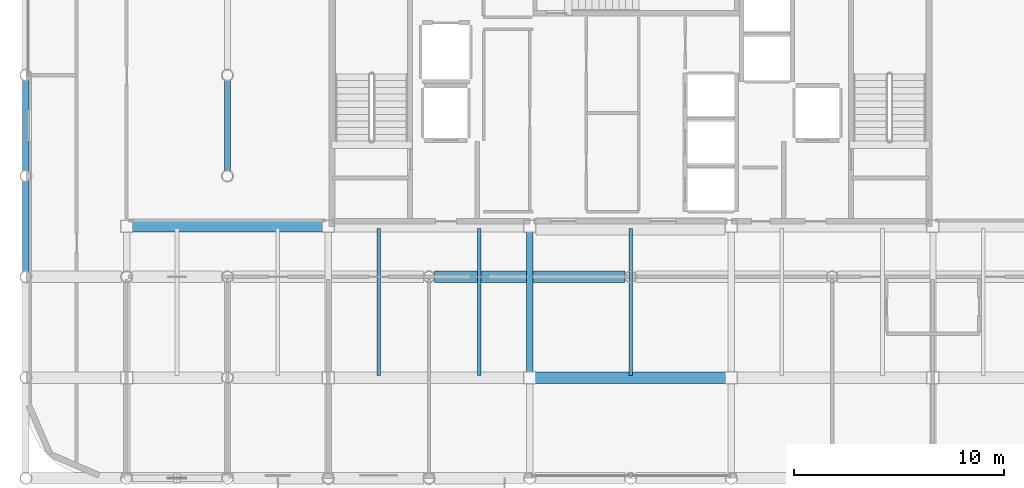
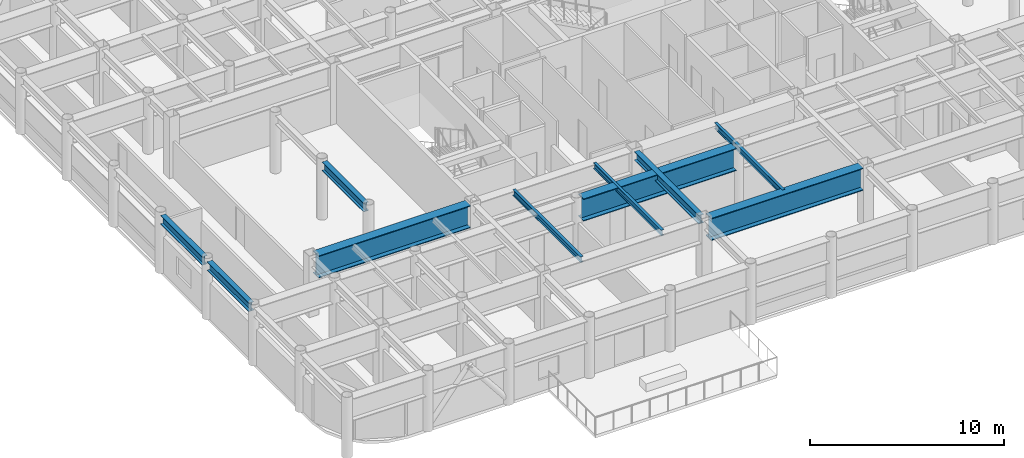
# One storey, part 5 of 26: 10 beams.
"""IFC4 building model written with IfcOpenShell, lengths in metres."""

from ifc_helpers import new_model, si_unit, direction, frame, origin, origin_2d, place, context, subcontext, project, spatial, i_section, extrude, material, material_profile, profile_set, type_object, element, save


model = new_model("IFC4")

# Units and contexts
model_context = context("Model", 3, precision=1e-05, world=origin(), true_north=direction((0.0, 1.0)))
body_context = subcontext(model_context, "Body", "Model", "MODEL_VIEW")
ifc_project = project(units=[si_unit("LENGTHUNIT", "METRE"), si_unit("AREAUNIT", "SQUARE_METRE"), si_unit("VOLUMEUNIT", "CUBIC_METRE"), si_unit("PLANEANGLEUNIT", "RADIAN"), si_unit("MASSUNIT", "GRAM", prefix="KILO")], contexts=[model_context])

# Site, building, storey
site_placement = place(None, origin())
site = spatial("IfcSite", under=ifc_project, at=site_placement, CompositionType="ELEMENT")
building_placement = place(site_placement, origin())
building = spatial("IfcBuilding", under=site, at=building_placement, Name="Kallvorn Hotel Tower", CompositionType="ELEMENT")
storey_placement = place(building_placement, frame((0.0, 0.0, 222.300048828125)))
storey = spatial("IfcBuildingStorey", under=building, at=storey_placement, Name="L55", CompositionType="ELEMENT", Elevation=222.300048828125)

# Beams
ifc_material_1 = material(Name="Structural steel S355JR", Category="steel")
ifc_material_profile_1 = material_profile(ifc_material_1, i_section(OverallWidth=0.300048828125, OverallDepth=0.550048828125, WebThickness=0.014892578125, FlangeThickness=0.029052734375, at=origin_2d()), Name="HE 550 B")
ifc_profile_set_1 = profile_set([ifc_material_profile_1], Name="Structural steel S355JR")
beam_type_1 = type_object("IfcBeamType", Name="BM_HE550B", PredefinedType="SPANDREL", material=ifc_profile_set_1)
for number, where, z_axis, x_axis, name in (
    (1, (-28.800048828125, -9.345458984375, 3.39501953125), (0.0, 1.0, 0.0), (-1.0, 0.0, 0.0), "L56 Primary Y-Girder 75"),
    (2, (-28.800048828125, -4.54541015625, 3.39501953125), (0.0, 1.0, 0.0), (-1.0, 0.0, 0.0), "L56 Primary Y-Girder 76"),
    (3, (-19.199951171875, -4.54541015625, 3.39501953125), (0.0, 1.0, 0.0), (-1.0, 0.0, 0.0), "L56 Primary Y-Girder 91"),
):
    element("IfcBeam", number, at=place(storey_placement, frame(where, z_axis=z_axis, x_axis=x_axis)), inside=storey, type_object=beam_type_1, Name=name, PredefinedType="SPANDREL", context=body_context, shape_type="SweptSolid", body=[
        extrude(i_section(OverallWidth=0.300048828125, OverallDepth=0.550048828125, WebThickness=0.014892578125, FlangeThickness=0.029052734375, at=origin_2d()), origin(), (0.0, 0.0, 1.0), 4.291015625),
    ])
beam_1_placement = place(storey_placement, frame((-4.800048828125, -14.125, 3.39501953125), z_axis=(0.0, 1.0, 0.0), x_axis=(-1.0, 0.0, 0.0)))
element("IfcBeam", 4, at=beam_1_placement, inside=storey, type_object=beam_type_1, Name="L56 Primary Y-Girder 106", PredefinedType="SPANDREL", context=body_context, shape_type="SweptSolid", body=[
    extrude(i_section(OverallWidth=0.300048828125, OverallDepth=0.550048828125, WebThickness=0.014892578125, FlangeThickness=0.029052734375, at=origin_2d()), origin(), (0.0, 0.0, 1.0), 6.64990234375),
])
ifc_material_2 = material(Name="Structural steel S355JR", Category="steel")
ifc_material_profile_2 = material_profile(ifc_material_2, i_section(OverallWidth=0.169921875, OverallDepth=0.360107421875, WebThickness=0.008056640625, FlangeThickness=0.0126953125, at=origin_2d()), Name="IPE 360")
ifc_profile_set_2 = profile_set([ifc_material_profile_2], Name="Structural steel S355JR")
beam_type_2 = type_object("IfcBeamType", Name="BM_IPE360", PredefinedType="JOIST", material=ifc_profile_set_2)
for number, where, z_axis, x_axis, name in (
    (5, (-12.0, -14.300048828125, 3.489990234375), (0.0, 1.0, 0.0), (-1.0, 0.0, 0.0), "L56 Secondary Composite Joist 196"),
    (6, (-7.199951171875, -14.300048828125, 3.489990234375), (0.0, 1.0, 0.0), (-1.0, 0.0, 0.0), "L56 Secondary Composite Joist 198"),
    (7, (0.0, -14.300048828125, 3.489990234375), (0.0, 1.0, 0.0), (-1.0, 0.0, 0.0), "L56 Secondary Composite Joist 200"),
):
    element("IfcBeam", number, at=place(storey_placement, frame(where, z_axis=z_axis, x_axis=x_axis)), inside=storey, type_object=beam_type_2, Name=name, PredefinedType="JOIST", context=body_context, shape_type="SweptSolid", body=[
        extrude(i_section(OverallWidth=0.169921875, OverallDepth=0.360107421875, WebThickness=0.008056640625, FlangeThickness=0.0126953125, at=origin_2d()), origin(), (0.0, 0.0, 1.0), 7.0),
    ])
ifc_material_3 = material(Name="Structural steel S355JR", Category="steel")
ifc_material_profile_3 = material_profile(ifc_material_3, i_section(OverallWidth=0.550048828125, OverallDepth=1.39990234375, WebThickness=0.02490234375, FlangeThickness=0.044921875, at=origin_2d()), Name="PG 1400x550x25x45")
ifc_profile_set_3 = profile_set([ifc_material_profile_3], Name="Structural steel S355JR")
beam_type_3 = type_object("IfcBeamType", Name="BM_PG_1400", PredefinedType="BEAM", material=ifc_profile_set_3)
beam_2_placement = place(storey_placement, frame((-4.52490234375, -14.39990234375, 2.969970703125), z_axis=(1.0, 0.0, 0.0), x_axis=(0.0, 1.0, 0.0)))
element("IfcBeam", 8, at=beam_2_placement, inside=storey, type_object=beam_type_3, Name="L56 Primary X-Girder 17", PredefinedType="BEAM", context=body_context, shape_type="SweptSolid", body=[
    extrude(i_section(OverallWidth=0.550048828125, OverallDepth=1.39990234375, WebThickness=0.02490234375, FlangeThickness=0.044921875, at=origin_2d()), origin(), (0.0, 0.0, 1.0), 9.0498046875),
])
beam_3_placement = place(storey_placement, frame((-9.345458984375, -9.60009765625, 2.969970703125), z_axis=(1.0, 0.0, 0.0), x_axis=(0.0, 1.0, 0.0)))
element("IfcBeam", 9, at=beam_3_placement, inside=storey, type_object=beam_type_3, Name="L56 Primary X-Girder 26", PredefinedType="BEAM", context=body_context, shape_type="SweptSolid", body=[
    extrude(i_section(OverallWidth=0.550048828125, OverallDepth=1.39990234375, WebThickness=0.02490234375, FlangeThickness=0.044921875, at=origin_2d()), origin(), (0.0, 0.0, 1.0), 9.091064453125),
])
beam_4_placement = place(storey_placement, frame((-23.72509765625, -7.199951171875, 2.969970703125), z_axis=(1.0, 0.0, 0.0), x_axis=(0.0, 1.0, 0.0)))
element("IfcBeam", 10, at=beam_4_placement, inside=storey, type_object=beam_type_3, Name="L56 Primary X-Girder 32", PredefinedType="BEAM", context=body_context, shape_type="SweptSolid", body=[
    extrude(i_section(OverallWidth=0.550048828125, OverallDepth=1.39990234375, WebThickness=0.02490234375, FlangeThickness=0.044921875, at=origin_2d()), origin(), (0.0, 0.0, 1.0), 9.050048828125),
])

save(model, "model.ifc")
